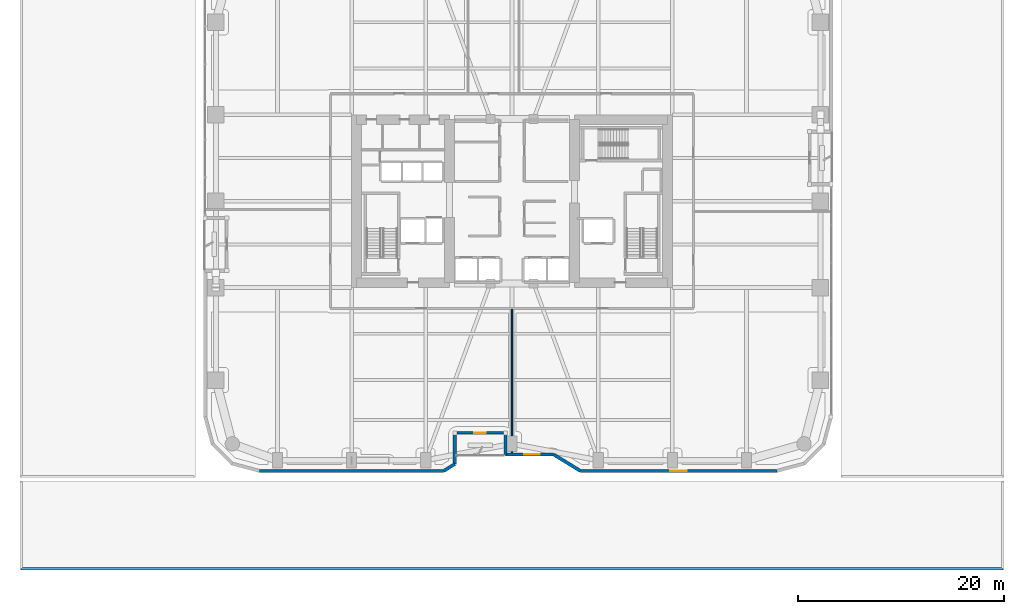
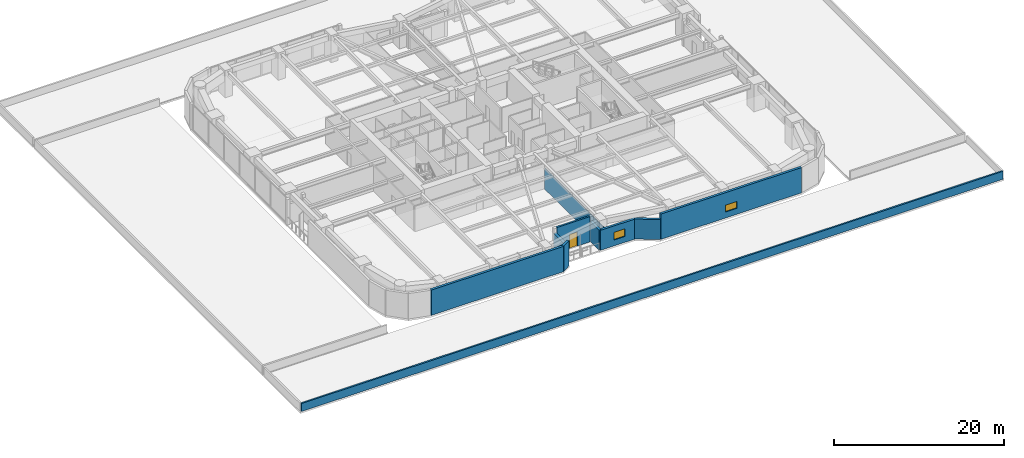
# One storey, part 27 of 38: 10 walls, 2 windows, 1 door, 3 openings.
"""IFC4 building model written with IfcOpenShell, lengths in metres."""

from ifc_helpers import new_model, si_unit, direction, frame, frame_2d, origin, place, context, subcontext, project, spatial, rectangle, extrude, material, layer, layer_set, type_object, element, fill, save


model = new_model("IFC4")

# Units and contexts
model_context = context("Model", 3, precision=1e-05, world=origin(), true_north=direction((0.0, 1.0)))
body_context = subcontext(model_context, "Body", "Model", "MODEL_VIEW")
ifc_project = project(units=[si_unit("LENGTHUNIT", "METRE"), si_unit("AREAUNIT", "SQUARE_METRE"), si_unit("VOLUMEUNIT", "CUBIC_METRE"), si_unit("PLANEANGLEUNIT", "RADIAN"), si_unit("MASSUNIT", "GRAM", prefix="KILO")], contexts=[model_context])

# Site, building, storey
site_placement = place(None, origin())
site = spatial("IfcSite", under=ifc_project, at=site_placement, CompositionType="ELEMENT")
building_placement = place(site_placement, origin())
building = spatial("IfcBuilding", under=site, at=building_placement, Name="Kiyonajd Concourse Tower", CompositionType="ELEMENT")
storey_placement = place(building_placement, frame((0.0, 0.0, 21.60009765625)))
storey = spatial("IfcBuildingStorey", under=building, at=storey_placement, Name="L06", CompositionType="ELEMENT", Elevation=21.60009765625)

# Wall, opening, window
ifc_material_1 = material(Name="Precast concrete C50/60", Category="concrete")
ifc_layer_1 = layer(ifc_material_1, 0.320068359375)
ifc_layer_set_1 = layer_set([ifc_layer_1], Name="Precast concrete C50/60")
wall_type_1 = type_object("IfcWallType", Name="WL-EXT-320", PredefinedType="SOLIDWALL", material=ifc_layer_set_1)
wall_1_placement = place(storey_placement, frame((73.77880859375, 9.760009765625, 0.0), z_axis=(0.0, 0.0, 1.0), x_axis=(-1.0, 0.0, 0.0)))
wall_1 = element("IfcWall", 1, at=wall_1_placement, inside=storey, type_object=wall_type_1, Name="L06 Exterior Concrete Frame Wall 28", PredefinedType="SOLIDWALL", context=body_context, shape_type="SweptSolid", body=[
    extrude(rectangle(XDim=19.133544921875, YDim=0.320068359375, at=frame_2d((9.56689453125, 0.0))), origin(), (0.0, 0.0, 1.0), 3.639892578125),
])
opening_1_placement = place(wall_1_placement, frame((8.76708984375, 0.0, 0.85009765625)))
opening_1 = element("IfcOpeningElement", 2, at=opening_1_placement, cuts=wall_1, Name="Opening WN6", PredefinedType="OPENING", context=body_context, shape_type="SweptSolid", body=[
    extrude(rectangle(XDim=1.60009765625, YDim=1.0, at=frame_2d((0.800048828125, 0.5))), frame((0.0, 0.169921875, 0.0), z_axis=(0.0, -1.0, 0.0), x_axis=(1.0, 0.0, 0.0)), (0.0, 0.0, 1.0), 0.340087890625),
])
ifc_material_2 = material(Name="Double Low-E Insulated Glass", Category="glass")
window_type_1 = type_object("IfcWindowType", Name="WN-VIS-1600x1000", PartitioningType="SINGLE_PANEL", PredefinedType="WINDOW", material=ifc_material_2)
window_1_placement = place(opening_1_placement, origin())
window_1 = element("IfcWindow", 3, at=window_1_placement, inside=storey, type_object=window_type_1, Name="L06 Modular Facade Vision Window 28", OverallHeight=1.0, OverallWidth=1.60009765625, PartitioningType="SINGLE_PANEL", PredefinedType="WINDOW", context=body_context, shape_type="SweptSolid", body=[
    extrude(rectangle(XDim=1.60009765625, YDim=1.0, at=frame_2d((0.800048828125, 0.5))), frame((0.0, 0.030029296875, 0.0), z_axis=(0.0, -1.0, 0.0), x_axis=(1.0, 0.0, 0.0)), (0.0, 0.0, 1.0), 0.06005859375),
])
fill(opening_1, window_1)

# Wall
wall_2_placement = place(storey_placement, frame((54.645263671875, 9.760009765625, 0.0), z_axis=(0.0, 0.0, 1.0), x_axis=(-0.851630857047, 0.524142044989, 0.0)))
element("IfcWall", 4, at=wall_2_placement, inside=storey, type_object=wall_type_1, Name="L06 Exterior Concrete Frame Wall 29", PredefinedType="SOLIDWALL", context=body_context, shape_type="SweptSolid", body=[
    extrude(rectangle(XDim=3.052734375, YDim=0.320068359375, at=frame_2d((1.5263671875, 0.0))), origin(), (0.0, 0.0, 1.0), 2.875),
])

# Wall, opening, window
wall_3_placement = place(storey_placement, frame((52.04541015625, 11.360107421875, 0.0), z_axis=(0.0, 0.0, 1.0), x_axis=(-1.0, 0.0, 0.0)))
wall_3 = element("IfcWall", 5, at=wall_3_placement, inside=storey, type_object=wall_type_1, Name="L06 Exterior Concrete Frame Wall 30", PredefinedType="SOLIDWALL", context=body_context, shape_type="SweptSolid", body=[
    extrude(rectangle(XDim=4.685302734375, YDim=0.320068359375, at=frame_2d((2.3427734375, 0.0))), origin(), (0.0, 0.0, 1.0), 2.875),
])
opening_2_placement = place(wall_3_placement, frame((1.367919921875, 0.0, 0.85009765625)))
opening_2 = element("IfcOpeningElement", 6, at=opening_2_placement, cuts=wall_3, Name="Opening WN2", PredefinedType="OPENING", context=body_context, shape_type="SweptSolid", body=[
    extrude(rectangle(XDim=1.5, YDim=1.10009765625, at=frame_2d((0.75, 0.550048828125))), frame((0.0, 0.169921875, 0.0), z_axis=(0.0, -1.0, 0.0), x_axis=(1.0, 0.0, 0.0)), (0.0, 0.0, 1.0), 0.340087890625),
])
window_type_2 = type_object("IfcWindowType", Name="WN-VIS-1500x1100", PartitioningType="SINGLE_PANEL", PredefinedType="WINDOW", material=ifc_material_2)
window_2_placement = place(opening_2_placement, origin())
window_2 = element("IfcWindow", 7, at=window_2_placement, inside=storey, type_object=window_type_2, Name="L06 Modular Facade Vision Window 30", OverallHeight=1.10009765625, OverallWidth=1.5, PartitioningType="SINGLE_PANEL", PredefinedType="WINDOW", context=body_context, shape_type="SweptSolid", body=[
    extrude(rectangle(XDim=1.5, YDim=1.10009765625, at=frame_2d((0.75, 0.550048828125))), frame((0.0, 0.030029296875, 0.0), z_axis=(0.0, -1.0, 0.0), x_axis=(1.0, 0.0, 0.0)), (0.0, 0.0, 1.0), 0.06005859375),
])
fill(opening_2, window_2)

# Walls
wall_4_placement = place(storey_placement, frame((47.360107421875, 11.360107421875, 0.0), z_axis=(0.0, 0.0, 1.0), x_axis=(0.0, 1.0, 0.0)))
element("IfcWall", 8, at=wall_4_placement, inside=storey, type_object=wall_type_1, Name="L06 Exterior Concrete Frame Wall 31", PredefinedType="SOLIDWALL", context=body_context, shape_type="SweptSolid", body=[
    extrude(rectangle(XDim=2.099853515625, YDim=0.320068359375, at=frame_2d((1.0498046875, 0.0))), origin(), (0.0, 0.0, 1.0), 2.875),
])
wall_5_placement = place(storey_placement, frame((42.43994140625, 13.4599609375, 0.0), z_axis=(0.0, 0.0, 1.0), x_axis=(0.0, -1.0, 0.0)))
element("IfcWall", 9, at=wall_5_placement, inside=storey, type_object=wall_type_1, Name="L06 Exterior Concrete Frame Wall 33", PredefinedType="SOLIDWALL", context=body_context, shape_type="SweptSolid", body=[
    extrude(rectangle(XDim=3.032470703125, YDim=0.320068359375, at=frame_2d((1.51611328125, 0.0))), origin(), (0.0, 0.0, 1.0), 2.875),
])
wall_6_placement = place(storey_placement, frame((42.43994140625, 10.427490234375, 0.0), z_axis=(0.0, 0.0, 1.0), x_axis=(-0.851776724646, -0.523904964045, 0.0)))
element("IfcWall", 10, at=wall_6_placement, inside=storey, type_object=wall_type_1, Name="L06 Exterior Concrete Frame Wall 34", PredefinedType="SOLIDWALL", context=body_context, shape_type="SweptSolid", body=[
    extrude(rectangle(XDim=1.274169921875, YDim=0.320068359375, at=frame_2d((0.63720703125, 0.0))), origin(), (0.0, 0.0, 1.0), 3.639892578125),
])
wall_7_placement = place(storey_placement, frame((41.354736328125, 9.760009765625, 0.0), z_axis=(0.0, 0.0, 1.0), x_axis=(-1.0, 0.0, 0.0)))
element("IfcWall", 11, at=wall_7_placement, inside=storey, type_object=wall_type_1, Name="L06 Exterior Concrete Frame Wall 35", PredefinedType="SOLIDWALL", context=body_context, shape_type="SweptSolid", body=[
    extrude(rectangle(XDim=17.93359375, YDim=0.320068359375, at=frame_2d((8.966796875, 0.0))), origin(), (0.0, 0.0, 1.0), 3.639892578125),
])

# Wall, opening, door
ifc_layer_2 = layer(ifc_material_1, 0.239990234375)
ifc_layer_set_2 = layer_set([ifc_layer_2], Name="Precast concrete C50/60")
wall_type_2 = type_object("IfcWallType", Name="WL-LOG-240", PredefinedType="SOLIDWALL", material=ifc_layer_set_2)
wall_8_placement = place(storey_placement, frame((47.1650390625, 13.4599609375, 0.0), z_axis=(0.0, 0.0, 1.0), x_axis=(-1.0, 0.0, 0.0)))
wall_8 = element("IfcWall", 12, at=wall_8_placement, inside=storey, type_object=wall_type_2, Name="L06 Recessed Loggia Thermal Wall LOG-S", PredefinedType="SOLIDWALL", context=body_context, shape_type="SweptSolid", body=[
    extrude(rectangle(XDim=4.530029296875, YDim=0.239990234375, at=frame_2d((2.26513671875, 0.0))), origin(), (0.0, 0.0, 1.0), 3.639892578125),
])
opening_3_placement = place(wall_8_placement, frame((1.715087890625, 0.0, 0.0)))
opening_3 = element("IfcOpeningElement", 13, at=opening_3_placement, cuts=wall_8, Name="Opening DL2", PredefinedType="OPENING", context=body_context, shape_type="SweptSolid", body=[
    extrude(rectangle(XDim=1.10009765625, YDim=2.0400390625, at=frame_2d((0.550048828125, 1.02001953125))), frame((0.0, 0.1298828125, 0.0), z_axis=(0.0, -1.0, 0.0), x_axis=(1.0, 0.0, 0.0)), (0.0, 0.0, 1.0), 0.260009765625),
])
ifc_material_3 = material(Name="Thermally Broken Anodised Aluminium", Category="aluminium")
door_type = type_object("IfcDoorType", Name="DR-LOG-1100", OperationType="NOTDEFINED", PredefinedType="DOOR", material=ifc_material_3)
door_placement = place(opening_3_placement, origin())
door = element("IfcDoor", 14, at=door_placement, inside=storey, type_object=door_type, Name="L06 Engawa Loggia Access Door LOG-S", OperationType="SINGLE_SWING_RIGHT", OverallHeight=2.0400390625, OverallWidth=1.10009765625, PredefinedType="DOOR", context=body_context, shape_type="SweptSolid", body=[
    extrude(rectangle(XDim=1.10009765625, YDim=2.0400390625, at=frame_2d((0.550048828125, 1.02001953125))), frame((0.0, 0.02490234375, 0.0), z_axis=(0.0, -1.0, 0.0), x_axis=(1.0, 0.0, 0.0)), (0.0, 0.0, 1.0), 0.050048828125),
])
fill(opening_3, door)

# Walls
ifc_layer_3 = layer(ifc_material_1, 0.219970703125)
ifc_layer_set_3 = layer_set([ifc_layer_3], Name="Precast concrete C50/60")
wall_type_3 = type_object("IfcWallType", Name="WL-PAR-220", PredefinedType="PARAPET", material=ifc_layer_set_3)
wall_9_placement = place(storey_placement, frame((95.739990234375, 0.260009765625, 0.0), z_axis=(0.0, 0.0, 1.0), x_axis=(-1.0, 0.0, 0.0)))
element("IfcWall", 15, at=wall_9_placement, inside=storey, type_object=wall_type_3, Name="L06 Setback Roof Parapet 01", PredefinedType="PARAPET", context=body_context, shape_type="SweptSolid", body=[
    extrude(rectangle(XDim=95.47998046875, YDim=0.219970703125, at=frame_2d((47.739990234375, 0.0))), origin(), (0.0, 0.0, 1.0), 1.14990234375),
])
ifc_material_4 = material(Name="Gypsum Board on Cold-Formed Steel Stud", Category="steel")
ifc_layer_4 = layer(ifc_material_4, 0.125)
ifc_layer_set_4 = layer_set([ifc_layer_4], Name="Gypsum Board on Cold-Formed Steel Stud")
wall_type_4 = type_object("IfcWallType", Name="WL-PART-125", PredefinedType="PARTITIONING", material=ifc_layer_set_4)
wall_10_placement = place(storey_placement, frame((48.0, 11.514892578125, 0.0), z_axis=(0.0, 0.0, 1.0), x_axis=(0.0, 1.0, 0.0)))
element("IfcWall", 16, at=wall_10_placement, inside=storey, type_object=wall_type_4, Name="L06 Interior Partition Wall", PredefinedType="PARTITIONING", context=body_context, shape_type="SweptSolid", body=[
    extrude(rectangle(XDim=13.947998046875, YDim=0.125, at=frame_2d((6.97412109375, 0.0))), origin(), (0.0, 0.0, 1.0), 2.929931640625),
])

save(model, "model.ifc")
